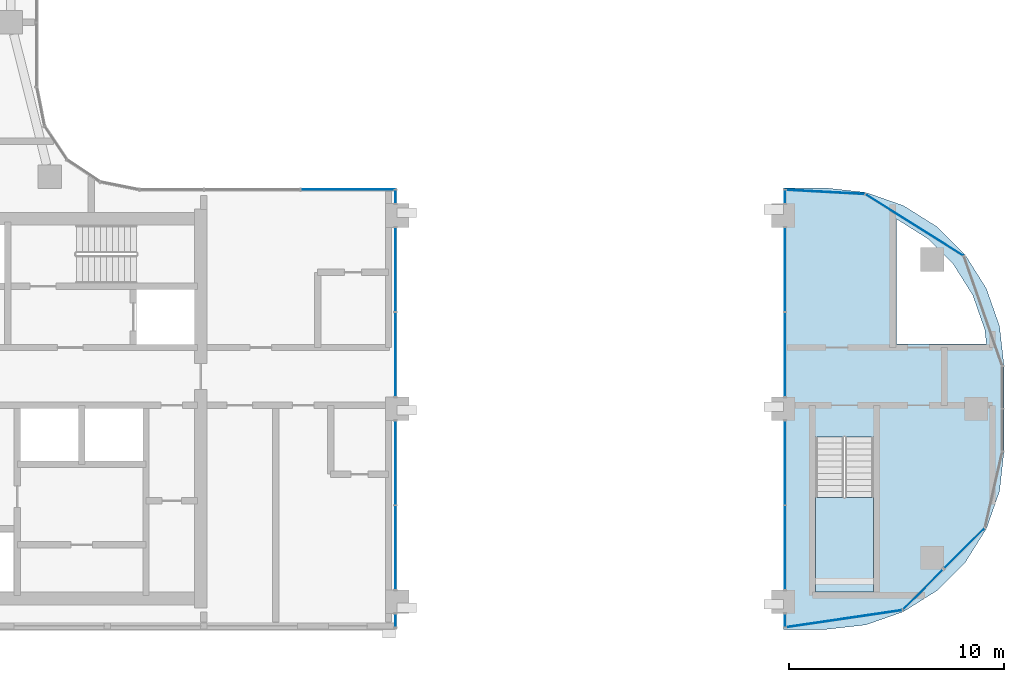
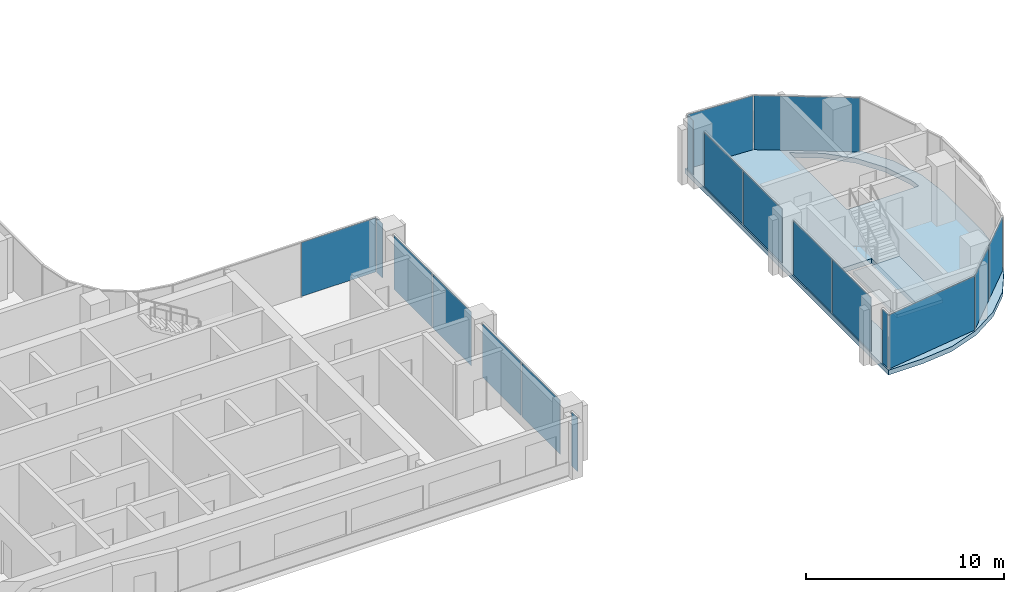
# One storey, part 8 of 23: 18 plates, 2 slabs, 13 elements without a shape of their own.
"""IFC4 building model written with IfcOpenShell, lengths in metres."""

from ifc_helpers import new_model, si_unit, direction, frame, origin, origin_2d, place, context, subcontext, project, spatial, polyline, rectangle, outline, extrude, material, layer, layer_set, type_object, element, aggregate, save


model = new_model("IFC4")

# Units and contexts
model_context = context("Model", 3, precision=1e-05, world=origin(), true_north=direction((0.0, 1.0)))
body_context = subcontext(model_context, "Body", "Model", "MODEL_VIEW")
ifc_project = project(units=[si_unit("LENGTHUNIT", "METRE"), si_unit("AREAUNIT", "SQUARE_METRE"), si_unit("VOLUMEUNIT", "CUBIC_METRE"), si_unit("PLANEANGLEUNIT", "RADIAN"), si_unit("MASSUNIT", "GRAM", prefix="KILO")], contexts=[model_context])

# Site, building, storey
site_placement = place(None, origin())
site = spatial("IfcSite", under=ifc_project, at=site_placement, CompositionType="ELEMENT")
building_placement = place(site_placement, origin())
building = spatial("IfcBuilding", under=site, at=building_placement, Name="Ogive Portal Towers", CompositionType="ELEMENT")
storey_placement = place(building_placement, frame((0.0, 0.0, 168.10009765625)))
storey = spatial("IfcBuildingStorey", under=building, at=storey_placement, Name="L41", CompositionType="ELEMENT", Elevation=168.10009765625)

# Curtain wall, plate
ifc_material_1 = material(Name="Glass, clear low-iron insulated glazing", Category="glass")
curtain_wall_type_1 = type_object("IfcCurtainWallType", Name="CW PORTAL REVEAL", PredefinedType="NOTDEFINED", material=ifc_material_1)
curtain_wall_1_placement = place(storey_placement, origin())
curtain_wall_1 = element("IfcCurtainWall", 1, at=curtain_wall_1_placement, inside=storey, type_object=curtain_wall_type_1, Name="A:L41:f06:cw0~0", PredefinedType="NOTDEFINED")
ifc_layer_1 = layer(ifc_material_1, 0.028076171875)
ifc_layer_set_1 = layer_set([ifc_layer_1], Name="CW PANEL IGU 28")
plate_type = type_object("IfcPlateType", Name="CW PANEL IGU 28", PredefinedType="CURTAIN_PANEL", material=ifc_layer_set_1)
plate_1_placement = place(storey_placement, frame((67.419921875, 20.62255859375, 0.0), z_axis=(0.0, 0.0, 1.0), x_axis=(0.0, 1.0, 0.0)))
plate_1 = element("IfcPlate", 2, at=plate_1_placement, type_object=plate_type, Name="panel", PredefinedType="CURTAIN_PANEL", context=body_context, shape_type="SweptSolid", body=[
    extrude(rectangle(XDim=0.594970703125, YDim=0.028076171875, at=origin_2d()), origin(), (0.0, 0.0, 1.0), 3.340087890625),
])
aggregate(curtain_wall_1, [plate_1])

# Curtain wall, plates
curtain_wall_2_placement = place(storey_placement, origin())
curtain_wall_2 = element("IfcCurtainWall", 3, at=curtain_wall_2_placement, inside=storey, type_object=curtain_wall_type_1, Name="A:L41:f06:cw0~1", PredefinedType="NOTDEFINED")
plate_2_placement = place(storey_placement, frame((67.419921875, 24.02490234375, 0.0), z_axis=(0.0, 0.0, 1.0), x_axis=(0.0, 1.0, 0.0)))
plate_2 = element("IfcPlate", 4, at=plate_2_placement, type_object=plate_type, Name="panel", PredefinedType="CURTAIN_PANEL", context=body_context, shape_type="SweptSolid", body=[
    extrude(rectangle(XDim=3.889892578125, YDim=0.028076171875, at=origin_2d()), origin(), (0.0, 0.0, 1.0), 3.340087890625),
])
plate_3_placement = place(storey_placement, frame((67.419921875, 27.97509765625, 0.0), z_axis=(0.0, 0.0, 1.0), x_axis=(0.0, 1.0, 0.0)))
plate_3 = element("IfcPlate", 5, at=plate_3_placement, type_object=plate_type, Name="panel", PredefinedType="CURTAIN_PANEL", context=body_context, shape_type="SweptSolid", body=[
    extrude(rectangle(XDim=3.889892578125, YDim=0.028076171875, at=origin_2d()), origin(), (0.0, 0.0, 1.0), 3.340087890625),
])
aggregate(curtain_wall_2, [plate_2, plate_3])

curtain_wall_3_placement = place(storey_placement, origin())
curtain_wall_3 = element("IfcCurtainWall", 6, at=curtain_wall_3_placement, inside=storey, type_object=curtain_wall_type_1, Name="A:L41:f06:cw0~2", PredefinedType="NOTDEFINED")
plate_4_placement = place(storey_placement, frame((67.419921875, 33.02490234375, 0.0), z_axis=(0.0, 0.0, 1.0), x_axis=(0.0, 1.0, 0.0)))
plate_4 = element("IfcPlate", 7, at=plate_4_placement, type_object=plate_type, Name="panel", PredefinedType="CURTAIN_PANEL", context=body_context, shape_type="SweptSolid", body=[
    extrude(rectangle(XDim=3.889892578125, YDim=0.028076171875, at=origin_2d()), origin(), (0.0, 0.0, 1.0), 3.340087890625),
])
plate_5_placement = place(storey_placement, frame((67.419921875, 36.97509765625, 0.0), z_axis=(0.0, 0.0, 1.0), x_axis=(0.0, 1.0, 0.0)))
plate_5 = element("IfcPlate", 8, at=plate_5_placement, type_object=plate_type, Name="panel", PredefinedType="CURTAIN_PANEL", context=body_context, shape_type="SweptSolid", body=[
    extrude(rectangle(XDim=3.889892578125, YDim=0.028076171875, at=origin_2d()), origin(), (0.0, 0.0, 1.0), 3.340087890625),
])
aggregate(curtain_wall_3, [plate_4, plate_5])

# Curtain wall, plate
curtain_wall_4_placement = place(storey_placement, origin())
curtain_wall_4 = element("IfcCurtainWall", 9, at=curtain_wall_4_placement, inside=storey, type_object=curtain_wall_type_1, Name="A:L41:f06:cw0~3", PredefinedType="NOTDEFINED")
plate_6_placement = place(storey_placement, frame((67.419921875, 40.37744140625, 0.0), z_axis=(0.0, 0.0, 1.0), x_axis=(0.0, 1.0, 0.0)))
plate_6 = element("IfcPlate", 10, at=plate_6_placement, type_object=plate_type, Name="panel", PredefinedType="CURTAIN_PANEL", context=body_context, shape_type="SweptSolid", body=[
    extrude(rectangle(XDim=0.594970703125, YDim=0.028076171875, at=origin_2d()), origin(), (0.0, 0.0, 1.0), 3.340087890625),
])
aggregate(curtain_wall_4, [plate_6])

curtain_wall_type_2 = type_object("IfcCurtainWallType", Name="CW FRONT RIBBON 4500", PredefinedType="NOTDEFINED", material=ifc_material_1)
curtain_wall_5_placement = place(storey_placement, origin())
curtain_wall_5 = element("IfcCurtainWall", 11, at=curtain_wall_5_placement, inside=storey, type_object=curtain_wall_type_2, Name="A:L41:f07:cw0", PredefinedType="NOTDEFINED")
plate_7_placement = place(storey_placement, frame((65.2099609375, 40.705078125, 0.0), z_axis=(0.0, 0.0, 1.0), x_axis=(-1.0, 0.0, 0.0)))
plate_7 = element("IfcPlate", 12, at=plate_7_placement, type_object=plate_type, Name="panel", PredefinedType="CURTAIN_PANEL", context=body_context, shape_type="SweptSolid", body=[
    extrude(rectangle(XDim=4.360107421875, YDim=0.028076171875, at=origin_2d()), origin(), (0.0, 0.0, 1.0), 3.340087890625),
])
aggregate(curtain_wall_5, [plate_7])

curtain_wall_6_placement = place(storey_placement, origin())
curtain_wall_6 = element("IfcCurtainWall", 13, at=curtain_wall_6_placement, inside=storey, type_object=curtain_wall_type_1, Name="A:L41:f22:cw0~0", PredefinedType="NOTDEFINED")
plate_8_placement = place(storey_placement, frame((85.580078125, 40.375244140625, 0.0), z_axis=(0.0, 0.0, 1.0), x_axis=(0.0, -1.0, 0.0)))
plate_8 = element("IfcPlate", 14, at=plate_8_placement, type_object=plate_type, Name="panel", PredefinedType="CURTAIN_PANEL", context=body_context, shape_type="SweptSolid", body=[
    extrude(rectangle(XDim=0.590576171875, YDim=0.028076171875, at=origin_2d()), origin(), (0.0, 0.0, 1.0), 3.340087890625),
])
aggregate(curtain_wall_6, [plate_8])

# Curtain wall, plates
curtain_wall_7_placement = place(storey_placement, origin())
curtain_wall_7 = element("IfcCurtainWall", 15, at=curtain_wall_7_placement, inside=storey, type_object=curtain_wall_type_1, Name="A:L41:f22:cw0~1", PredefinedType="NOTDEFINED")
plate_9_placement = place(storey_placement, frame((85.580078125, 36.97509765625, 0.0), z_axis=(0.0, 0.0, 1.0), x_axis=(0.0, -1.0, 0.0)))
plate_9 = element("IfcPlate", 16, at=plate_9_placement, type_object=plate_type, Name="panel", PredefinedType="CURTAIN_PANEL", context=body_context, shape_type="SweptSolid", body=[
    extrude(rectangle(XDim=3.889892578125, YDim=0.028076171875, at=origin_2d()), origin(), (0.0, 0.0, 1.0), 3.340087890625),
])
plate_10_placement = place(storey_placement, frame((85.580078125, 33.02490234375, 0.0), z_axis=(0.0, 0.0, 1.0), x_axis=(0.0, -1.0, 0.0)))
plate_10 = element("IfcPlate", 17, at=plate_10_placement, type_object=plate_type, Name="panel", PredefinedType="CURTAIN_PANEL", context=body_context, shape_type="SweptSolid", body=[
    extrude(rectangle(XDim=3.889892578125, YDim=0.028076171875, at=origin_2d()), origin(), (0.0, 0.0, 1.0), 3.340087890625),
])
aggregate(curtain_wall_7, [plate_9, plate_10])

curtain_wall_8_placement = place(storey_placement, origin())
curtain_wall_8 = element("IfcCurtainWall", 18, at=curtain_wall_8_placement, inside=storey, type_object=curtain_wall_type_1, Name="A:L41:f22:cw0~2", PredefinedType="NOTDEFINED")
plate_11_placement = place(storey_placement, frame((85.580078125, 27.97509765625, 0.0), z_axis=(0.0, 0.0, 1.0), x_axis=(0.0, -1.0, 0.0)))
plate_11 = element("IfcPlate", 19, at=plate_11_placement, type_object=plate_type, Name="panel", PredefinedType="CURTAIN_PANEL", context=body_context, shape_type="SweptSolid", body=[
    extrude(rectangle(XDim=3.889892578125, YDim=0.028076171875, at=origin_2d()), origin(), (0.0, 0.0, 1.0), 3.340087890625),
])
plate_12_placement = place(storey_placement, frame((85.580078125, 24.02490234375, 0.0), z_axis=(0.0, 0.0, 1.0), x_axis=(0.0, -1.0, 0.0)))
plate_12 = element("IfcPlate", 20, at=plate_12_placement, type_object=plate_type, Name="panel", PredefinedType="CURTAIN_PANEL", context=body_context, shape_type="SweptSolid", body=[
    extrude(rectangle(XDim=3.889892578125, YDim=0.028076171875, at=origin_2d()), origin(), (0.0, 0.0, 1.0), 3.340087890625),
])
aggregate(curtain_wall_8, [plate_11, plate_12])

# Curtain wall, plate
curtain_wall_9_placement = place(storey_placement, origin())
curtain_wall_9 = element("IfcCurtainWall", 21, at=curtain_wall_9_placement, inside=storey, type_object=curtain_wall_type_1, Name="A:L41:f22:cw0~3", PredefinedType="NOTDEFINED")
plate_13_placement = place(storey_placement, frame((85.580078125, 20.62890625, 0.0), z_axis=(0.0, 0.0, 1.0), x_axis=(0.0, -1.0, 0.0)))
plate_13 = element("IfcPlate", 22, at=plate_13_placement, type_object=plate_type, Name="panel", PredefinedType="CURTAIN_PANEL", context=body_context, shape_type="SweptSolid", body=[
    extrude(rectangle(XDim=0.58251953125, YDim=0.028076171875, at=origin_2d()), origin(), (0.0, 0.0, 1.0), 3.340087890625),
])
aggregate(curtain_wall_9, [plate_13])

# Curtain wall, plates
curtain_wall_10_placement = place(storey_placement, origin())
curtain_wall_10 = element("IfcCurtainWall", 23, at=curtain_wall_10_placement, inside=storey, type_object=curtain_wall_type_2, Name="A:L41:f23:cwa~0", PredefinedType="NOTDEFINED")
plate_14_placement = place(storey_placement, frame((88.318359375, 20.709228515625, 0.0), z_axis=(0.0, 0.0, 1.0), x_axis=(0.989417123185, 0.145099125939, 0.0)))
plate_14 = element("IfcPlate", 24, at=plate_14_placement, type_object=plate_type, Name="panel", PredefinedType="CURTAIN_PANEL", context=body_context, shape_type="SweptSolid", body=[
    extrude(rectangle(XDim=5.4755859375, YDim=0.028076171875, at=origin_2d()), origin(), (0.0, 0.0, 1.0), 3.340087890625),
])
plate_15_placement = place(storey_placement, frame((92.00146484375, 22.055419921875, 0.0), z_axis=(0.0, 0.0, 1.0), x_axis=(0.707106781187, 0.707106781187, 0.0)))
plate_15 = element("IfcPlate", 25, at=plate_15_placement, type_object=plate_type, Name="panel", PredefinedType="CURTAIN_PANEL", context=body_context, shape_type="SweptSolid", body=[
    extrude(rectangle(XDim=2.61181640625, YDim=0.028076171875, at=origin_2d()), origin(), (0.0, 0.0, 1.0), 3.340087890625),
])
aggregate(curtain_wall_10, [plate_14, plate_15])

# Curtain wall, plate
curtain_wall_11_placement = place(storey_placement, origin())
curtain_wall_11 = element("IfcCurtainWall", 26, at=curtain_wall_11_placement, inside=storey, type_object=curtain_wall_type_2, Name="A:L41:f23:cwa~1", PredefinedType="NOTDEFINED")
plate_16_placement = place(storey_placement, frame((93.94580078125, 23.999755859375, 0.0), z_axis=(0.0, 0.0, 1.0), x_axis=(0.707106781187, 0.707106781187, 0.0)))
plate_16 = element("IfcPlate", 27, at=plate_16_placement, type_object=plate_type, Name="panel", PredefinedType="CURTAIN_PANEL", context=body_context, shape_type="SweptSolid", body=[
    extrude(rectangle(XDim=2.615234375, YDim=0.028076171875, at=origin_2d()), origin(), (0.0, 0.0, 1.0), 3.340087890625),
])
aggregate(curtain_wall_11, [plate_16])

# Curtain wall, plates
curtain_wall_12_placement = place(storey_placement, origin())
curtain_wall_12 = element("IfcCurtainWall", 28, at=curtain_wall_12_placement, inside=storey, type_object=curtain_wall_type_2, Name="A:L41:f27:cwa", PredefinedType="NOTDEFINED")
plate_17_placement = place(storey_placement, frame((91.614990234375, 39.0556640625, 0.0), z_axis=(0.0, 0.0, 1.0), x_axis=(-0.846724199227, 0.532032076517, 0.0)))
plate_17 = element("IfcPlate", 29, at=plate_17_placement, type_object=plate_type, Name="panel", PredefinedType="CURTAIN_PANEL", context=body_context, shape_type="SweptSolid", body=[
    extrude(rectangle(XDim=5.364013671875, YDim=0.028076171875, at=origin_2d()), origin(), (0.0, 0.0, 1.0), 3.340087890625),
])
plate_18_placement = place(storey_placement, frame((87.44921875, 40.599609375, 0.0), z_axis=(0.0, 0.0, 1.0), x_axis=(-0.998542821468, 0.053965115528, 0.0)))
plate_18 = element("IfcPlate", 30, at=plate_18_placement, type_object=plate_type, Name="panel", PredefinedType="CURTAIN_PANEL", context=body_context, shape_type="SweptSolid", body=[
    extrude(rectangle(XDim=3.68408203125, YDim=0.028076171875, at=origin_2d()), origin(), (0.0, 0.0, 1.0), 3.340087890625),
])
aggregate(curtain_wall_12, [plate_17, plate_18])

# Stair, slab
ifc_material_2 = material(Name="Concrete C40/50", Category="concrete")
stair_type = type_object("IfcStairType", Name="INT-STAIR", PredefinedType="HALF_TURN_STAIR", material=ifc_material_2)
stair_placement = place(storey_placement, origin())
stair = element("IfcStair", 31, at=stair_placement, inside=storey, type_object=stair_type, Name="L41 Exit Stair ST-A4", PredefinedType="HALF_TURN_STAIR")
ifc_layer_2 = layer(ifc_material_2, 0.199951171875)
ifc_layer_set_2 = layer_set([ifc_layer_2], Name="INT-LANDING")
slab_type_1 = type_object("IfcSlabType", Name="INT-LANDING", PredefinedType="LANDING", material=ifc_layer_set_2)
slab_1_placement = place(storey_placement, frame((0.0, 0.0, 1.64990234375)))
slab_1 = element("IfcSlab", 32, at=slab_1_placement, type_object=slab_type_1, Name="ST-A4 landing 1", PredefinedType="LANDING", context=body_context, shape_type="SweptSolid", body=[
    extrude(outline(polyline([(87.0, 26.3701171875), (87.0, 21.949951171875), (89.699951171875, 21.949951171875), (89.699951171875, 26.3701171875), (87.0, 26.3701171875)])), origin(), (0.0, 0.0, 1.0), 0.199951171875),
])
aggregate(stair, [slab_1])

# Slab
ifc_material_3 = material(Name="Concrete C45/55", Category="concrete")
ifc_layer_3 = layer(ifc_material_3, 0.300048828125)
ifc_layer_set_3 = layer_set([ifc_layer_3], Name="PT FLAT PLATE 300")
slab_type_2 = type_object("IfcSlabType", Name="PT FLAT PLATE 300", PredefinedType="FLOOR", material=ifc_layer_set_3)
slab_2_placement = place(storey_placement, frame((0.0, 0.0, -0.300048828125)))
element("IfcSlab", 33, at=slab_2_placement, inside=storey, type_object=slab_type_2, Name="Floor slab L41", PredefinedType="FLOOR", context=body_context, shape_type="SweptSolid", body=[
    extrude(outline(polyline([(89.343505859375, 40.577392578125), (87.5, 40.784912109375), (85.5, 40.784912109375), (85.5, 20.215087890625), (87.5, 20.215087890625), (89.343505859375, 20.422607421875), (91.0947265625, 21.035400390625), (92.66552734375, 22.0224609375), (93.9775390625, 23.33447265625), (94.964599609375, 24.9052734375), (95.577392578125, 26.656494140625), (95.784912109375, 28.5), (95.784912109375, 32.5), (95.577392578125, 34.343505859375), (94.964599609375, 36.0947265625), (93.9775390625, 37.66552734375), (92.66552734375, 38.9775390625), (91.0947265625, 39.964599609375), (89.343505859375, 40.577392578125)]), holes=[polyline([(87.001953125, 21.951904296875), (87.001953125, 29.16796875), (89.697998046875, 29.16796875), (89.697998046875, 21.951904296875), (87.001953125, 21.951904296875)]), polyline([(93.4267578125, 37.226318359375), (94.329833984375, 35.7890625), (94.890380859375, 34.186767578125), (94.965576171875, 33.52001953125), (90.77001953125, 33.52001953125), (90.77001953125, 39.33642578125), (90.7890625, 39.329833984375), (92.226318359375, 38.4267578125), (93.4267578125, 37.226318359375)])]), origin(), (0.0, 0.0, 1.0), 0.300048828125),
])

save(model, "model.ifc")
